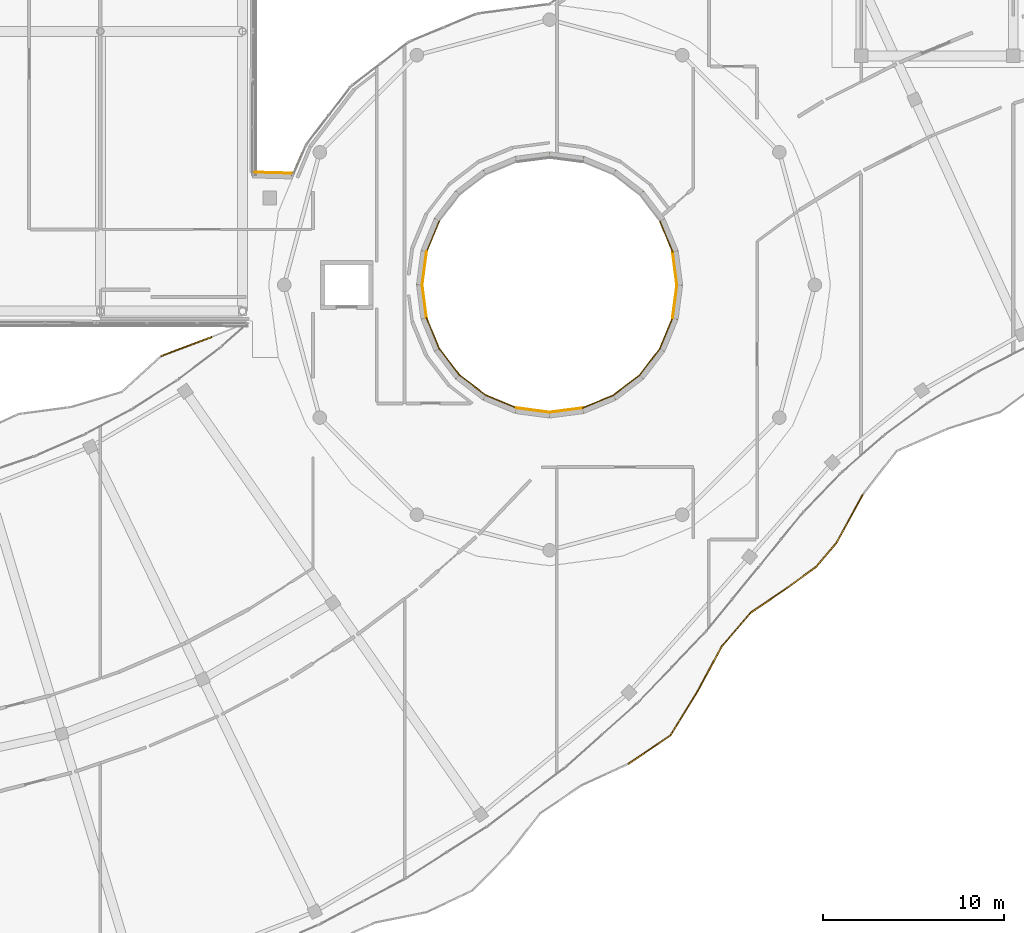
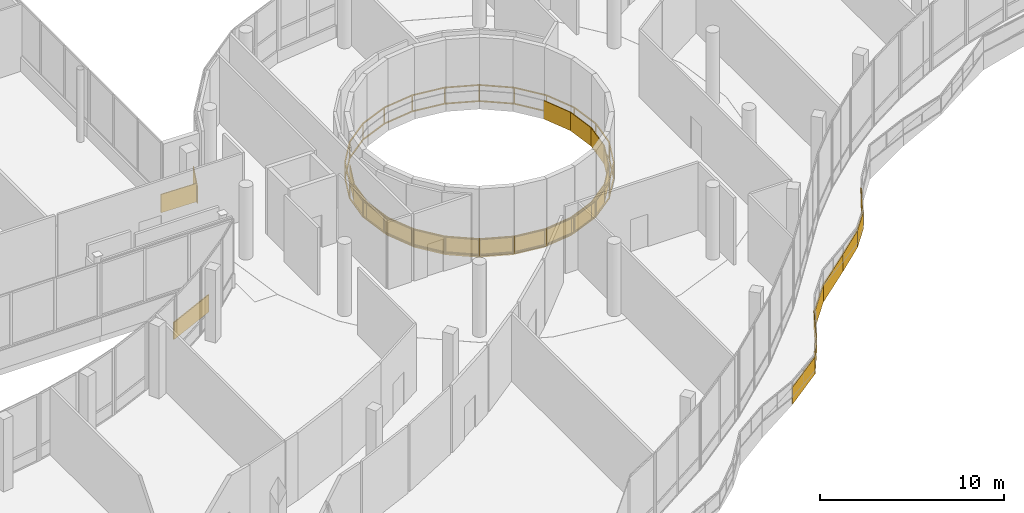
# One storey, part 147 of 155: 27 coverings, 2 railings.
"""IFC4 building model written with IfcOpenShell, lengths in metres."""

import ifcopenshell
import ifcopenshell.guid

model = None  # the IFC model being written
_history = None  # IfcOwnerHistory: only IFC2X3 demands one
_inside = {}  # id of a spatial element -> (the spatial element, [elements in it])
_under = {}  # id of a project, library or spatial element -> (it, [spatial elements below it])
_declared = {}  # id of a project -> (the project, [libraries it declares])
_typed = {}  # id of a type object -> (the type object, [elements of that type])
_made_of = {}  # id of a material, layer set ... -> (it, [elements and type objects made of it])


def new_model(schema):
    """Start an empty IFC model of exactly this schema.

    Asked for "IFC4X3", IfcOpenShell would pick the latest addendum, in which some entities
    have other attributes; the version numbers below select the first issue.
    IFC2X3 requires an IfcOwnerHistory on every rooted entity: one is made here for all.
    """
    global model, _history
    if schema == "IFC4X3":
        model = ifcopenshell.file(schema_version=(4, 3, 0, 0))
    else:
        model = ifcopenshell.file(schema=schema)
    _inside.clear()
    _under.clear()
    _declared.clear()
    _typed.clear()
    _made_of.clear()
    _history = None
    if model.schema == "IFC2X3":
        org = make("IfcOrganization", Name="unknown")
        user = make(
            "IfcPersonAndOrganization",
            ThePerson=make("IfcPerson", FamilyName="unknown"),
            TheOrganization=org,
        )
        app = make(
            "IfcApplication",
            ApplicationDeveloper=org,
            Version="unknown",
            ApplicationFullName="unknown",
            ApplicationIdentifier="unknown",
        )
        _history = make(
            "IfcOwnerHistory",
            OwningUser=user,
            OwningApplication=app,
            ChangeAction="ADDED",
            CreationDate=0,
        )
    return model


def make(cls, **values):
    """One entity of the class cls with the attributes given. An attribute that is None is left unset."""
    return model.create_entity(
        cls, **{name: value for name, value in values.items() if value is not None}
    )


def rooted(cls, **values):
    """An entity with a GlobalId (a new one), such as an element, a storey or a relation."""
    return make(cls, GlobalId=ifcopenshell.guid.new(), OwnerHistory=_history, **values)


def si_unit(unit_type, name, prefix=None):
    """IfcSIUnit, for example si_unit("LENGTHUNIT", "METRE", prefix="MILLI")."""
    return make("IfcSIUnit", UnitType=unit_type, Prefix=prefix, Name=name)


def assignment(units):
    """IfcUnitAssignment: the units of a project."""
    return None if units is None else make("IfcUnitAssignment", Units=units)


def point(xyz):
    """IfcCartesianPoint."""
    return None if xyz is None else make("IfcCartesianPoint", Coordinates=xyz)


def direction(xyz):
    """IfcDirection."""
    return None if xyz is None else make("IfcDirection", DirectionRatios=xyz)


def frame(location, z_axis=None, x_axis=None):
    """IfcAxis2Placement3D, a coordinate frame: its origin and axes. An axis left out is left unset."""
    return make(
        "IfcAxis2Placement3D",
        Location=point(location),
        Axis=direction(z_axis),
        RefDirection=direction(x_axis),
    )


def frame_2d(location, x_axis=None):
    """IfcAxis2Placement2D, a coordinate frame in the plane: its origin and x axis."""
    return make(
        "IfcAxis2Placement2D", Location=point(location), RefDirection=direction(x_axis)
    )


def origin():
    """The frame at (0, 0, 0) with its axes left unset."""
    return frame((0.0, 0.0, 0.0))


def origin_2d():
    """The frame at (0, 0) in the plane with its x axis left unset."""
    return frame_2d((0.0, 0.0))


def place(relative_to, where):
    """IfcLocalPlacement: puts the frame where relative to a parent placement (None: the world)."""
    return make(
        "IfcLocalPlacement", PlacementRelTo=relative_to, RelativePlacement=where
    )


def context(
    kind, dimensions, precision=None, world=None, true_north=None, identifier=None
):
    """IfcGeometricRepresentationContext, for example the 3D "Model" context."""
    return make(
        "IfcGeometricRepresentationContext",
        ContextIdentifier=identifier,
        ContextType=kind,
        CoordinateSpaceDimension=dimensions,
        Precision=precision,
        WorldCoordinateSystem=world,
        TrueNorth=true_north,
    )


def subcontext(parent, identifier, kind, view, scale=None):
    """IfcGeometricRepresentationSubContext, for example "Body" below "Model"."""
    return make(
        "IfcGeometricRepresentationSubContext",
        ContextIdentifier=identifier,
        ContextType=kind,
        ParentContext=parent,
        TargetScale=scale,
        TargetView=view,
    )


def project(units=None, contexts=None):
    """IfcProject with its units and contexts."""
    return rooted(
        "IfcProject",
        Name="project",
        RepresentationContexts=contexts,
        UnitsInContext=assignment(units),
    )


def spatial(cls, under=None, at=None, **own):
    """A site, building, storey or space (cls), placed at a placement, below another one or the project."""
    s = rooted(cls, ObjectPlacement=at, **own)
    if under is not None:
        _under.setdefault(under.id(), (under, []))[1].append(s)
    return s


def polyline(points):
    """IfcPolyline through the points."""
    return make("IfcPolyline", Points=[point(p) for p in points])


def profile(cls, at=None, kind="AREA", **sizes):
    """A parametric profile (cls). Its sizes go by their IFC names, for example OverallWidth=200.0."""
    return make(cls, ProfileType=kind, Position=at, **sizes)


def rectangle(**sizes):
    """IfcRectangleProfileDef."""
    return profile("IfcRectangleProfileDef", **sizes)


def outline(outer, holes=None, kind="AREA"):
    """IfcArbitraryClosedProfileDef: a profile drawn as a closed curve; with holes, ...WithVoids."""
    if holes is None:
        return make("IfcArbitraryClosedProfileDef", ProfileType=kind, OuterCurve=outer)
    return make(
        "IfcArbitraryProfileDefWithVoids",
        ProfileType=kind,
        OuterCurve=outer,
        InnerCurves=holes,
    )


def extrude(swept, where, along, depth):
    """IfcExtrudedAreaSolid: the profile swept, set in the frame where, extruded along a direction by depth."""
    return make(
        "IfcExtrudedAreaSolid",
        SweptArea=swept,
        Position=where,
        ExtrudedDirection=direction(along),
        Depth=depth,
    )


def shape(context_of_items, identifier, shape_type, items):
    """IfcShapeRepresentation: the items that make up one representation, for example the "Body"."""
    return make(
        "IfcShapeRepresentation",
        ContextOfItems=context_of_items,
        RepresentationIdentifier=identifier,
        RepresentationType=shape_type,
        Items=items,
    )


def material(Name=None, Category=None):
    """IfcMaterial."""
    return make("IfcMaterial", Name=Name, Category=Category)


def layer(
    of_material, thickness, ventilated=None, Name=None, Category=None, Priority=None
):
    """IfcMaterialLayer: one layer of a wall or slab, of a material (None: an air gap)."""
    return make(
        "IfcMaterialLayer",
        Material=of_material,
        LayerThickness=thickness,
        IsVentilated=ventilated,
        Name=Name,
        Category=Category,
        Priority=Priority,
    )


def layer_set(layers, Name=None):
    """IfcMaterialLayerSet."""
    return make("IfcMaterialLayerSet", MaterialLayers=layers, LayerSetName=Name)


def made_of(thing, what):
    """Note that an element or type object is made of a material, layer set ...; save() writes the relation."""
    if what is not None:
        _made_of.setdefault(what.id(), (what, []))[1].append(thing)
    return thing


def type_object(cls, material=None, **own):
    """A type object (cls), such as IfcWallType, which elements share."""
    return made_of(rooted(cls, **own), material)


def element(
    cls,
    number,
    at=None,
    inside=None,
    cuts=None,
    type_object=None,
    material=None,
    context=None,
    identifier="Body",
    shape_type=None,
    held_by="IfcProductDefinitionShape",
    body=None,
    shapes=None,
    **own,
):
    """One element of the class cls, such as IfcWall. Its Tag is "e" and its number.

    at: its placement. inside: the storey or other place that contains it. cuts: it is an
    opening in that element (IfcRelVoidsElement). A single representation is given by context,
    identifier, shape_type and body (its items); several are given by shapes. held_by: the class
    of the entity that holds the representations. save() writes the other relations.
    """
    e = rooted(cls, Tag="e%d" % number, ObjectPlacement=at, **own)
    if body is not None:
        shapes = [shape(context, identifier, shape_type, body)]
    if shapes is not None:
        e.Representation = make(held_by, Representations=shapes)
    if inside is not None:
        _inside.setdefault(inside.id(), (inside, []))[1].append(e)
    if cuts is not None:
        rooted(
            "IfcRelVoidsElement", RelatingBuildingElement=cuts, RelatedOpeningElement=e
        )
    if type_object is not None:
        _typed.setdefault(type_object.id(), (type_object, []))[1].append(e)
    return made_of(e, material)


def aggregate(whole, parts):
    """IfcRelAggregates: a whole, such as a stair, and the parts it consists of."""
    return rooted("IfcRelAggregates", RelatingObject=whole, RelatedObjects=parts)


def save(model, path):
    """Write the relations noted so far, then the file.

    IfcRelAggregates (storeys below a building ...), IfcRelContainedInSpatialStructure (elements
    in a storey), IfcRelDefinesByType, IfcRelAssociatesMaterial and IfcRelDeclares: one each for
    every whole, place, type object, material and project.
    """
    for whole, parts in _under.values():
        aggregate(whole, parts)
    for where, things in _inside.values():
        rooted(
            "IfcRelContainedInSpatialStructure",
            RelatedElements=things,
            RelatingStructure=where,
        )
    for kind, things in _typed.values():
        rooted("IfcRelDefinesByType", RelatedObjects=things, RelatingType=kind)
    for what, things in _made_of.values():
        rooted("IfcRelAssociatesMaterial", RelatedObjects=things, RelatingMaterial=what)
    for by, libraries in _declared.values():
        rooted("IfcRelDeclares", RelatingContext=by, RelatedDefinitions=libraries)
    model.write(path)


model = new_model("IFC4")

# Units and contexts
model_context = context("Model", 3, precision=1e-05, world=origin(), true_north=direction((0.0, 1.0)))
body_context = subcontext(model_context, "Body", "Model", "MODEL_VIEW")
ifc_project = project(units=[si_unit("LENGTHUNIT", "METRE"), si_unit("AREAUNIT", "SQUARE_METRE"), si_unit("VOLUMEUNIT", "CUBIC_METRE"), si_unit("PLANEANGLEUNIT", "RADIAN"), si_unit("MASSUNIT", "GRAM", prefix="KILO")], contexts=[model_context])

# Site, building, storey
site_placement = place(None, origin())
site = spatial("IfcSite", under=ifc_project, at=site_placement, CompositionType="ELEMENT")
building_placement = place(site_placement, origin())
building = spatial("IfcBuilding", under=site, at=building_placement, Name="Selatvlak General Hospital", CompositionType="ELEMENT")
storey_placement = place(building_placement, frame((0.0, 0.0, 10.199951171875)))
storey = spatial("IfcBuildingStorey", under=building, at=storey_placement, Name="L02", CompositionType="ELEMENT", Elevation=10.199951171875)

# Coverings
ifc_material_1 = material(Name="PVDF aluminium fascia - signal green", Category="aluminium")
ifc_layer_1 = layer(ifc_material_1, 0.070068359375, Name="PVDF aluminium fascia - signal green", Category="aluminium")
ifc_layer_set_1 = layer_set([ifc_layer_1], Name="PVDF aluminium fascia - signal green")
covering_type_1 = type_object("IfcCoveringType", Name="COV-RB-GRN", PredefinedType="CLADDING", material=ifc_layer_set_1)
covering_1_placement = place(storey_placement, frame((102.345947265625, 27.552978515625, -0.447021484375), z_axis=(0.0, 0.0, 1.0), x_axis=(0.828328484862, 0.560242734149, 0.0)))
element("IfcCovering", 1, at=covering_1_placement, inside=storey, type_object=covering_type_1, Name="L02 De Stijl waving fascia streamer 245", PredefinedType="CLADDING", context=body_context, shape_type="SweptSolid", body=[
    extrude(outline(polyline([(0.0, 0.0), (2.8095703125, 0.260009765625), (2.8095703125, 1.39990234375), (0.0, 1.139892578125), (0.0, 0.0)])), frame((0.0, 0.03515625, 0.0), z_axis=(0.0, -1.0, 0.0), x_axis=(1.0, 0.0, 0.0)), (0.0, 0.0, 1.0), 0.070068359375),
])
covering_2_placement = place(storey_placement, frame((104.672119140625, 29.126953125, -0.18701171875), z_axis=(0.0, 0.0, 1.0), x_axis=(0.525144308248, 0.851013193502, 0.0)))
element("IfcCovering", 2, at=covering_2_placement, inside=storey, type_object=covering_type_1, Name="L02 De Stijl waving fascia streamer 246", PredefinedType="CLADDING", context=body_context, shape_type="SweptSolid", body=[
    extrude(outline(polyline([(0.0, 0.0), (2.848388671875, -0.412841796875), (2.848388671875, 0.72705078125), (0.0, 1.139892578125), (0.0, 0.0)])), frame((0.0, 0.03515625, 0.0), z_axis=(0.0, -1.0, 0.0), x_axis=(1.0, 0.0, 0.0)), (0.0, 0.0, 1.0), 0.070068359375),
])
covering_3_placement = place(storey_placement, frame((106.16796875, 31.550048828125, -0.599853515625), z_axis=(0.0, 0.0, 1.0), x_axis=(0.473214678119, 0.880947142803, 0.0)))
element("IfcCovering", 3, at=covering_3_placement, inside=storey, type_object=covering_type_1, Name="L02 De Stijl waving fascia streamer 247", PredefinedType="CLADDING", context=body_context, shape_type="SweptSolid", body=[
    extrude(outline(polyline([(0.0, 0.0), (2.829833984375, -0.523193359375), (2.829833984375, 0.61669921875), (0.0, 1.139892578125), (0.0, 0.0)])), frame((0.0, 0.03515625, 0.0), z_axis=(0.0, -1.0, 0.0), x_axis=(1.0, 0.0, 0.0)), (0.0, 0.0, 1.0), 0.070068359375),
])
covering_4_placement = place(storey_placement, frame((107.507080078125, 34.04296875, -1.123046875), z_axis=(0.0, 0.0, 1.0), x_axis=(0.650617475148, 0.759405623519, 0.0)))
element("IfcCovering", 4, at=covering_4_placement, inside=storey, type_object=covering_type_1, Name="L02 De Stijl waving fascia streamer 248", PredefinedType="CLADDING", context=body_context, shape_type="SweptSolid", body=[
    extrude(outline(polyline([(0.0, 0.0), (2.42822265625, 0.037109375), (2.42822265625, 1.177001953125), (0.0, 1.139892578125), (0.0, 0.0)])), frame((0.0, 0.03515625, 0.0), z_axis=(0.0, -1.0, 0.0), x_axis=(1.0, 0.0, 0.0)), (0.0, 0.0, 1.0), 0.070068359375),
])
covering_5_placement = place(storey_placement, frame((109.0859375, 35.885986328125, -1.0859375), z_axis=(0.0, 0.0, 1.0), x_axis=(0.825700394009, 0.564108907333, 0.0)))
element("IfcCovering", 5, at=covering_5_placement, inside=storey, type_object=covering_type_1, Name="L02 De Stijl waving fascia streamer 249", PredefinedType="CLADDING", context=body_context, shape_type="SweptSolid", body=[
    extrude(outline(polyline([(0.0, 0.0), (2.481689453125, 0.486083984375), (2.481689453125, 1.6259765625), (0.0, 1.139892578125), (0.0, 0.0)])), frame((0.0, 0.03515625, 0.0), z_axis=(0.0, -1.0, 0.0), x_axis=(1.0, 0.0, 0.0)), (0.0, 0.0, 1.0), 0.070068359375),
])
covering_6_placement = place(storey_placement, frame((111.135009765625, 37.285888671875, -0.599853515625), z_axis=(0.0, 0.0, 1.0), x_axis=(0.809811644052, 0.586689953176, 0.0)))
element("IfcCovering", 6, at=covering_6_placement, inside=storey, type_object=covering_type_1, Name="L02 De Stijl waving fascia streamer 250", PredefinedType="CLADDING", context=body_context, shape_type="SweptSolid", body=[
    extrude(outline(polyline([(0.0, 0.0), (1.93115234375, 0.347900390625), (1.93115234375, 1.48779296875), (0.0, 1.139892578125), (0.0, 0.0)])), frame((0.0, 0.03515625, 0.0), z_axis=(0.0, -1.0, 0.0), x_axis=(1.0, 0.0, 0.0)), (0.0, 0.0, 1.0), 0.070068359375),
])
covering_7_placement = place(storey_placement, frame((112.699951171875, 38.419921875, -0.251953125), z_axis=(0.0, 0.0, 1.0), x_axis=(0.650558406315, 0.759456226502, 0.0)))
element("IfcCovering", 7, at=covering_7_placement, inside=storey, type_object=covering_type_1, Name="L02 De Stijl waving fascia streamer 251", PredefinedType="CLADDING", context=body_context, shape_type="SweptSolid", body=[
    extrude(outline(polyline([(0.0, 0.0), (1.726318359375, 0.04296875), (1.726318359375, 1.182861328125), (0.0, 1.139892578125), (0.0, 0.0)])), frame((0.0, 0.03515625, 0.0), z_axis=(0.0, -1.0, 0.0), x_axis=(1.0, 0.0, 0.0)), (0.0, 0.0, 1.0), 0.070068359375),
])
covering_8_placement = place(storey_placement, frame((113.822998046875, 39.73095703125, -0.208984375), z_axis=(0.0, 0.0, 1.0), x_axis=(0.480522921498, 0.876982167387, 0.0)))
element("IfcCovering", 8, at=covering_8_placement, inside=storey, type_object=covering_type_1, Name="L02 De Stijl waving fascia streamer 252", PredefinedType="CLADDING", context=body_context, shape_type="SweptSolid", body=[
    extrude(outline(polyline([(0.0, 0.0), (3.06982421875, -0.571044921875), (3.06982421875, 0.56884765625), (0.0, 1.139892578125), (0.0, 0.0)])), frame((0.0, 0.03515625, 0.0), z_axis=(0.0, -1.0, 0.0), x_axis=(1.0, 0.0, 0.0)), (0.0, 0.0, 1.0), 0.070068359375),
])
covering_9_placement = place(storey_placement, frame((79.35595703125, 51.131103515625, -0.537841796875), z_axis=(0.0, 0.0, 1.0), x_axis=(-0.935731915503, -0.352712038793, 0.0)))
element("IfcCovering", 9, at=covering_9_placement, inside=storey, type_object=covering_type_1, Name="L02 De Stijl waving fascia streamer 285", PredefinedType="CLADDING", context=body_context, shape_type="SweptSolid", body=[
    extrude(outline(polyline([(0.0, 0.0), (3.013671875, -0.230224609375), (3.013671875, 0.90966796875), (0.0, 1.139892578125), (0.0, 0.0)])), frame((0.0, 0.03515625, 0.0), z_axis=(0.0, -1.0, 0.0), x_axis=(1.0, 0.0, 0.0)), (0.0, 0.0, 1.0), 0.070068359375),
])
ifc_material_2 = material(Name="White Bauhaus fair-faced cladding panel")
ifc_layer_2 = layer(ifc_material_2, 0.054931640625, Name="White Bauhaus fair-faced cladding panel")
ifc_layer_set_2 = layer_set([ifc_layer_2], Name="White Bauhaus fair-faced cladding panel")
covering_type_2 = type_object("IfcCoveringType", Name="COV-WHT1", PredefinedType="CLADDING", material=ifc_layer_set_2)
covering_10_placement = place(storey_placement, frame((82.7099609375, 60.195068359375, -0.27978515625), z_axis=(0.0, 0.0, 1.0), x_axis=(0.999632209807, -0.027119091375, 0.0)))
element("IfcCovering", 10, at=covering_10_placement, inside=storey, type_object=covering_type_2, Name="L02 Bauhaus horizontal white spandrel band 0178", PredefinedType="CLADDING", context=body_context, shape_type="SweptSolid", body=[
    extrude(rectangle(XDim=2.212890625, YDim=0.054931640625, at=origin_2d()), origin(), (0.0, 0.0, 1.0), 1.219970703125),
])
covering_11_placement = place(storey_placement, frame((84.156982421875, 60.89111328125, -0.2998046875), z_axis=(0.0, 0.0, 1.0), x_axis=(0.400301051368, 0.916383690532, 0.0)))
element("IfcCovering", 11, at=covering_11_placement, inside=storey, type_object=covering_type_2, Name="L02 Rotunda white Bauhaus spandrel ring 0179", PredefinedType="CLADDING", context=body_context, shape_type="SweptSolid", body=[
    extrude(rectangle(XDim=1.908935546875, YDim=0.054931640625, at=origin_2d()), origin(), (0.0, 0.0, 1.0), 1.14990234375),
])
covering_12_placement = place(storey_placement, frame((91.56103515625, 56.675048828125, -0.27978515625), z_axis=(0.0, 0.0, 1.0), x_axis=(-0.384005268657, -0.923330901489, 0.0)))
element("IfcCovering", 12, at=covering_12_placement, inside=storey, type_object=covering_type_2, Name="L02 Bauhaus horizontal white spandrel band 0198", PredefinedType="CLADDING", context=body_context, shape_type="SweptSolid", body=[
    extrude(rectangle(XDim=1.8798828125, YDim=0.054931640625, at=origin_2d()), origin(), (0.0, 0.0, 1.0), 1.219970703125),
])
covering_13_placement = place(storey_placement, frame((91.087890625, 54.9169921875, -0.27978515625), z_axis=(0.0, 0.0, 1.0), x_axis=(-0.131495152443, -0.991316813579, 0.0)))
element("IfcCovering", 13, at=covering_13_placement, inside=storey, type_object=covering_type_2, Name="L02 Bauhaus horizontal white spandrel band 0199", PredefinedType="CLADDING", context=body_context, shape_type="SweptSolid", body=[
    extrude(rectangle(XDim=1.8779296875, YDim=0.054931640625, at=origin_2d()), origin(), (0.0, 0.0, 1.0), 1.219970703125),
])
covering_14_placement = place(storey_placement, frame((91.0859375, 53.097900390625, -0.27978515625), z_axis=(0.0, 0.0, 1.0), x_axis=(0.129332123433, -0.991601332113, 0.0)))
element("IfcCovering", 14, at=covering_14_placement, inside=storey, type_object=covering_type_2, Name="L02 Bauhaus horizontal white spandrel band 0200", PredefinedType="CLADDING", context=body_context, shape_type="SweptSolid", body=[
    extrude(rectangle(XDim=1.87890625, YDim=0.054931640625, at=origin_2d()), origin(), (0.0, 0.0, 1.0), 1.219970703125),
])
covering_15_placement = place(storey_placement, frame((91.554931640625, 51.339111328125, -0.27978515625), z_axis=(0.0, 0.0, 1.0), x_axis=(0.381812526586, -0.924239792771, 0.0)))
element("IfcCovering", 15, at=covering_15_placement, inside=storey, type_object=covering_type_2, Name="L02 Bauhaus horizontal white spandrel band 0201", PredefinedType="CLADDING", context=body_context, shape_type="SweptSolid", body=[
    extrude(rectangle(XDim=1.8798828125, YDim=0.054931640625, at=origin_2d()), origin(), (0.0, 0.0, 1.0), 1.219970703125),
])
for number, where, z_axis, x_axis, name in (
    (16, (92.464111328125, 49.760986328125, -0.27978515625), (0.0, 0.0, 1.0), (0.607805570475, -0.79408588232, 0.0), "L02 Bauhaus horizontal white spandrel band 0202"),
    (17, (93.75, 48.472900390625, -0.27978515625), (0.0, 0.0, 1.0), (0.792917516662, -0.609328984843, 0.0), "L02 Bauhaus horizontal white spandrel band 0203"),
):
    element("IfcCovering", number, at=place(storey_placement, frame(where, z_axis=z_axis, x_axis=x_axis)), inside=storey, type_object=covering_type_2, Name=name, PredefinedType="CLADDING", context=body_context, shape_type="SweptSolid", body=[
        extrude(rectangle(XDim=1.87890625, YDim=0.054931640625, at=origin_2d()), origin(), (0.0, 0.0, 1.0), 1.219970703125),
    ])
covering_16_placement = place(storey_placement, frame((95.324951171875, 47.56103515625, -0.27978515625), z_axis=(0.0, 0.0, 1.0), x_axis=(0.923330901489, -0.384005268657, 0.0)))
element("IfcCovering", 18, at=covering_16_placement, inside=storey, type_object=covering_type_2, Name="L02 Bauhaus horizontal white spandrel band 0204", PredefinedType="CLADDING", context=body_context, shape_type="SweptSolid", body=[
    extrude(rectangle(XDim=1.8798828125, YDim=0.054931640625, at=origin_2d()), origin(), (0.0, 0.0, 1.0), 1.219970703125),
])
covering_17_placement = place(storey_placement, frame((97.0830078125, 47.087890625, -0.27978515625), z_axis=(0.0, 0.0, 1.0), x_axis=(0.991316813579, -0.131495152443, 0.0)))
element("IfcCovering", 19, at=covering_17_placement, inside=storey, type_object=covering_type_2, Name="L02 Bauhaus horizontal white spandrel band 0205", PredefinedType="CLADDING", context=body_context, shape_type="SweptSolid", body=[
    extrude(rectangle(XDim=1.8779296875, YDim=0.054931640625, at=origin_2d()), origin(), (0.0, 0.0, 1.0), 1.219970703125),
])
covering_18_placement = place(storey_placement, frame((98.902099609375, 47.0859375, -0.27978515625), z_axis=(0.0, 0.0, 1.0), x_axis=(0.991601332113, 0.129332123433, 0.0)))
element("IfcCovering", 20, at=covering_18_placement, inside=storey, type_object=covering_type_2, Name="L02 Bauhaus horizontal white spandrel band 0206", PredefinedType="CLADDING", context=body_context, shape_type="SweptSolid", body=[
    extrude(rectangle(XDim=1.87890625, YDim=0.054931640625, at=origin_2d()), origin(), (0.0, 0.0, 1.0), 1.219970703125),
])
covering_19_placement = place(storey_placement, frame((100.660888671875, 47.554931640625, -0.27978515625), z_axis=(0.0, 0.0, 1.0), x_axis=(0.924239792771, 0.381812526586, 0.0)))
element("IfcCovering", 21, at=covering_19_placement, inside=storey, type_object=covering_type_2, Name="L02 Bauhaus horizontal white spandrel band 0207", PredefinedType="CLADDING", context=body_context, shape_type="SweptSolid", body=[
    extrude(rectangle(XDim=1.8798828125, YDim=0.054931640625, at=origin_2d()), origin(), (0.0, 0.0, 1.0), 1.219970703125),
])
for number, where, z_axis, x_axis, name in (
    (22, (102.239013671875, 48.464111328125, -0.27978515625), (0.0, 0.0, 1.0), (0.79408588232, 0.607805570475, 0.0), "L02 Bauhaus horizontal white spandrel band 0208"),
    (23, (103.527099609375, 49.75, -0.27978515625), (0.0, 0.0, 1.0), (0.609328984843, 0.792917516662, 0.0), "L02 Bauhaus horizontal white spandrel band 0209"),
):
    element("IfcCovering", number, at=place(storey_placement, frame(where, z_axis=z_axis, x_axis=x_axis)), inside=storey, type_object=covering_type_2, Name=name, PredefinedType="CLADDING", context=body_context, shape_type="SweptSolid", body=[
        extrude(rectangle(XDim=1.87890625, YDim=0.054931640625, at=origin_2d()), origin(), (0.0, 0.0, 1.0), 1.219970703125),
    ])
covering_20_placement = place(storey_placement, frame((104.43896484375, 51.324951171875, -0.27978515625), z_axis=(0.0, 0.0, 1.0), x_axis=(0.384005268657, 0.923330901489, 0.0)))
element("IfcCovering", 24, at=covering_20_placement, inside=storey, type_object=covering_type_2, Name="L02 Bauhaus horizontal white spandrel band 0210", PredefinedType="CLADDING", context=body_context, shape_type="SweptSolid", body=[
    extrude(rectangle(XDim=1.8798828125, YDim=0.054931640625, at=origin_2d()), origin(), (0.0, 0.0, 1.0), 1.219970703125),
])
covering_21_placement = place(storey_placement, frame((104.912109375, 53.0830078125, -0.27978515625), z_axis=(0.0, 0.0, 1.0), x_axis=(0.131495152443, 0.991316813579, 0.0)))
element("IfcCovering", 25, at=covering_21_placement, inside=storey, type_object=covering_type_2, Name="L02 Bauhaus horizontal white spandrel band 0211", PredefinedType="CLADDING", context=body_context, shape_type="SweptSolid", body=[
    extrude(rectangle(XDim=1.8779296875, YDim=0.054931640625, at=origin_2d()), origin(), (0.0, 0.0, 1.0), 1.219970703125),
])
covering_22_placement = place(storey_placement, frame((104.9140625, 54.902099609375, -0.27978515625), z_axis=(0.0, 0.0, 1.0), x_axis=(-0.129332123433, 0.991601332113, 0.0)))
element("IfcCovering", 26, at=covering_22_placement, inside=storey, type_object=covering_type_2, Name="L02 Bauhaus horizontal white spandrel band 0212", PredefinedType="CLADDING", context=body_context, shape_type="SweptSolid", body=[
    extrude(rectangle(XDim=1.87890625, YDim=0.054931640625, at=origin_2d()), origin(), (0.0, 0.0, 1.0), 1.219970703125),
])
covering_23_placement = place(storey_placement, frame((104.445068359375, 56.660888671875, -0.27978515625), z_axis=(0.0, 0.0, 1.0), x_axis=(-0.381812526586, 0.924239792771, 0.0)))
element("IfcCovering", 27, at=covering_23_placement, inside=storey, type_object=covering_type_2, Name="L02 Bauhaus horizontal white spandrel band 0213", PredefinedType="CLADDING", context=body_context, shape_type="SweptSolid", body=[
    extrude(rectangle(XDim=1.8798828125, YDim=0.054931640625, at=origin_2d()), origin(), (0.0, 0.0, 1.0), 1.219970703125),
])

# Railings
ifc_material_3 = material(Name="Stainless steel 316 atrium guard", Category="steel")
railing_type = type_object("IfcRailingType", Name="RAIL-ATR", PredefinedType="GUARDRAIL", material=ifc_material_3)
railing_1_placement = place(storey_placement, frame((105.300048828125, 54.0, 0.0)))
element("IfcRailing", 28, at=railing_1_placement, inside=storey, type_object=railing_type, Name="L02 rotunda atrium void guard N", PredefinedType="GUARDRAIL", context=body_context, shape_type="SweptSolid", body=[
    extrude(rectangle(XDim=0.068115234375, YDim=0.068115234375, at=origin_2d()), frame((-0.00048828125, 0.0029296875, 1.11572265625), z_axis=(-0.130703112878, 0.991421553268, 0.0), x_axis=(-0.991421553268, -0.130703112878, 0.0)), (0.0, 0.0, 1.0), 1.8994140625),
    extrude(rectangle(XDim=0.068115234375, YDim=0.068115234375, at=origin_2d()), frame((-0.00048828125, 0.0029296875, 0.049072265625), z_axis=(-0.130703112878, 0.991421553268, 0.0), x_axis=(-0.991421553268, -0.130703112878, 0.0)), (0.0, 0.0, 1.0), 1.8994140625),
    extrude(rectangle(XDim=0.068115234375, YDim=0.068115234375, at=origin_2d()), frame((-0.250244140625, 1.8916015625, 1.11572265625), z_axis=(-0.382495099758, 0.923957519944, 0.0), x_axis=(-0.923957519944, -0.382495099758, 0.0)), (0.0, 0.0, 1.0), 1.900146484375),
    extrude(rectangle(XDim=0.068115234375, YDim=0.068115234375, at=origin_2d()), frame((-0.250244140625, 1.8916015625, 0.049072265625), z_axis=(-0.382495099758, 0.923957519944, 0.0), x_axis=(-0.923957519944, -0.382495099758, 0.0)), (0.0, 0.0, 1.0), 1.900146484375),
    extrude(rectangle(XDim=0.068115234375, YDim=0.068115234375, at=origin_2d()), frame((-0.979736328125, 3.65234375, 1.11572265625), z_axis=(-0.608614402838, 0.793466135798, 0.0), x_axis=(-0.793466135798, -0.608614402838, 0.0)), (0.0, 0.0, 1.0), 1.89990234375),
    extrude(rectangle(XDim=0.068115234375, YDim=0.068115234375, at=origin_2d()), frame((-0.979736328125, 3.65234375, 0.049072265625), z_axis=(-0.608614402838, 0.793466135798, 0.0), x_axis=(-0.793466135798, -0.608614402838, 0.0)), (0.0, 0.0, 1.0), 1.89990234375),
    extrude(rectangle(XDim=0.068115234375, YDim=0.068115234375, at=origin_2d()), frame((-2.140380859375, 5.163818359375, 1.11572265625), z_axis=(-0.793466135798, 0.608614402838, 0.0), x_axis=(-0.608614402838, -0.793466135798, 0.0)), (0.0, 0.0, 1.0), 1.89990234375),
    extrude(rectangle(XDim=0.068115234375, YDim=0.068115234375, at=origin_2d()), frame((-2.140380859375, 5.163818359375, 0.049072265625), z_axis=(-0.793466135798, 0.608614402838, 0.0), x_axis=(-0.608614402838, -0.793466135798, 0.0)), (0.0, 0.0, 1.0), 1.89990234375),
    extrude(rectangle(XDim=0.068115234375, YDim=0.068115234375, at=origin_2d()), frame((-3.65283203125, 6.3232421875, 1.11572265625), z_axis=(-0.923957519944, 0.382495099758, 0.0), x_axis=(-0.382495099758, -0.923957519944, 0.0)), (0.0, 0.0, 1.0), 1.900146484375),
    extrude(rectangle(XDim=0.068115234375, YDim=0.068115234375, at=origin_2d()), frame((-3.65283203125, 6.3232421875, 0.049072265625), z_axis=(-0.923957519944, 0.382495099758, 0.0), x_axis=(-0.382495099758, -0.923957519944, 0.0)), (0.0, 0.0, 1.0), 1.900146484375),
    extrude(rectangle(XDim=0.068115234375, YDim=0.068115234375, at=origin_2d()), frame((-5.4140625, 7.051513671875, 1.11572265625), z_axis=(-0.991421553268, 0.130703112878, 0.0), x_axis=(-0.130703112878, -0.991421553268, 0.0)), (0.0, 0.0, 1.0), 1.8994140625),
    extrude(rectangle(XDim=0.068115234375, YDim=0.068115234375, at=origin_2d()), frame((-5.4140625, 7.051513671875, 0.049072265625), z_axis=(-0.991421553268, 0.130703112878, 0.0), x_axis=(-0.130703112878, -0.991421553268, 0.0)), (0.0, 0.0, 1.0), 1.8994140625),
    extrude(rectangle(XDim=0.068115234375, YDim=0.068115234375, at=origin_2d()), frame((-7.302978515625, 7.299560546875, 1.11572265625), z_axis=(-0.991421553268, -0.130703112878, 0.0), x_axis=(0.130703112878, -0.991421553268, 0.0)), (0.0, 0.0, 1.0), 1.8994140625),
    extrude(rectangle(XDim=0.068115234375, YDim=0.068115234375, at=origin_2d()), frame((-7.302978515625, 7.299560546875, 0.049072265625), z_axis=(-0.991421553268, -0.130703112878, 0.0), x_axis=(0.130703112878, -0.991421553268, 0.0)), (0.0, 0.0, 1.0), 1.8994140625),
    extrude(rectangle(XDim=0.068115234375, YDim=0.068115234375, at=origin_2d()), frame((-9.191650390625, 7.0498046875, 1.11572265625), z_axis=(-0.923957519944, -0.382495099758, 0.0), x_axis=(0.382495099758, -0.923957519944, 0.0)), (0.0, 0.0, 1.0), 1.900146484375),
    extrude(rectangle(XDim=0.068115234375, YDim=0.068115234375, at=origin_2d()), frame((-9.191650390625, 7.0498046875, 0.049072265625), z_axis=(-0.923957519944, -0.382495099758, 0.0), x_axis=(0.382495099758, -0.923957519944, 0.0)), (0.0, 0.0, 1.0), 1.900146484375),
    extrude(rectangle(XDim=0.068115234375, YDim=0.068115234375, at=origin_2d()), frame((-10.952392578125, 6.3203125, 1.11572265625), z_axis=(-0.793466135798, -0.608614402838, 0.0), x_axis=(0.608614402838, -0.793466135798, 0.0)), (0.0, 0.0, 1.0), 1.89990234375),
    extrude(rectangle(XDim=0.068115234375, YDim=0.068115234375, at=origin_2d()), frame((-10.952392578125, 6.3203125, 0.049072265625), z_axis=(-0.793466135798, -0.608614402838, 0.0), x_axis=(0.608614402838, -0.793466135798, 0.0)), (0.0, 0.0, 1.0), 1.89990234375),
    extrude(rectangle(XDim=0.068115234375, YDim=0.068115234375, at=origin_2d()), frame((-12.4638671875, 5.15966796875, 1.11572265625), z_axis=(-0.608614402838, -0.793466135798, 0.0), x_axis=(0.793466135798, -0.608614402838, 0.0)), (0.0, 0.0, 1.0), 1.89990234375),
    extrude(rectangle(XDim=0.068115234375, YDim=0.068115234375, at=origin_2d()), frame((-12.4638671875, 5.15966796875, 0.049072265625), z_axis=(-0.608614402838, -0.793466135798, 0.0), x_axis=(0.793466135798, -0.608614402838, 0.0)), (0.0, 0.0, 1.0), 1.89990234375),
    extrude(rectangle(XDim=0.068115234375, YDim=0.068115234375, at=origin_2d()), frame((-13.623291015625, 3.647216796875, 1.11572265625), z_axis=(-0.382495099758, -0.923957519944, 0.0), x_axis=(0.923957519944, -0.382495099758, 0.0)), (0.0, 0.0, 1.0), 1.900146484375),
    extrude(rectangle(XDim=0.068115234375, YDim=0.068115234375, at=origin_2d()), frame((-13.623291015625, 3.647216796875, 0.049072265625), z_axis=(-0.382495099758, -0.923957519944, 0.0), x_axis=(0.923957519944, -0.382495099758, 0.0)), (0.0, 0.0, 1.0), 1.900146484375),
    extrude(rectangle(XDim=0.068115234375, YDim=0.068115234375, at=origin_2d()), frame((-14.3515625, 1.885986328125, 1.11572265625), z_axis=(-0.130703112878, -0.991421553268, 0.0), x_axis=(0.991421553268, -0.130703112878, 0.0)), (0.0, 0.0, 1.0), 1.8994140625),
    extrude(rectangle(XDim=0.068115234375, YDim=0.068115234375, at=origin_2d()), frame((-14.3515625, 1.885986328125, 0.049072265625), z_axis=(-0.130703112878, -0.991421553268, 0.0), x_axis=(0.991421553268, -0.130703112878, 0.0)), (0.0, 0.0, 1.0), 1.8994140625),
    extrude(rectangle(XDim=0.055908203125, YDim=0.055908203125, at=origin_2d()), origin(), (0.0, 0.0, 1.0), 1.078857421875),
    extrude(rectangle(XDim=0.055908203125, YDim=0.055908203125, at=origin_2d()), frame((-0.2490234375, 1.888916015625, 0.0)), (0.0, 0.0, 1.0), 1.078857421875),
    extrude(rectangle(XDim=0.055908203125, YDim=0.055908203125, at=origin_2d()), frame((-0.97802734375, 3.64990234375, 0.0)), (0.0, 0.0, 1.0), 1.078857421875),
    extrude(rectangle(XDim=0.055908203125, YDim=0.055908203125, at=origin_2d()), frame((-2.137939453125, 5.162109375, 0.0)), (0.0, 0.0, 1.0), 1.078857421875),
    extrude(rectangle(XDim=0.055908203125, YDim=0.055908203125, at=origin_2d()), frame((-3.650146484375, 6.322021484375, 0.0)), (0.0, 0.0, 1.0), 1.078857421875),
    extrude(rectangle(XDim=0.055908203125, YDim=0.055908203125, at=origin_2d()), frame((-5.4111328125, 7.051025390625, 0.0)), (0.0, 0.0, 1.0), 1.078857421875),
    extrude(rectangle(XDim=0.055908203125, YDim=0.055908203125, at=origin_2d()), frame((-7.300048828125, 7.300048828125, 0.0)), (0.0, 0.0, 1.0), 1.078857421875),
    extrude(rectangle(XDim=0.055908203125, YDim=0.055908203125, at=origin_2d()), frame((-9.18896484375, 7.051025390625, 0.0)), (0.0, 0.0, 1.0), 1.078857421875),
    extrude(rectangle(XDim=0.055908203125, YDim=0.055908203125, at=origin_2d()), frame((-10.949951171875, 6.322021484375, 0.0)), (0.0, 0.0, 1.0), 1.078857421875),
    extrude(rectangle(XDim=0.055908203125, YDim=0.055908203125, at=origin_2d()), frame((-12.462158203125, 5.162109375, 0.0)), (0.0, 0.0, 1.0), 1.078857421875),
    extrude(rectangle(XDim=0.055908203125, YDim=0.055908203125, at=origin_2d()), frame((-13.6220703125, 3.64990234375, 0.0)), (0.0, 0.0, 1.0), 1.078857421875),
    extrude(rectangle(XDim=0.055908203125, YDim=0.055908203125, at=origin_2d()), frame((-14.35107421875, 1.888916015625, 0.0)), (0.0, 0.0, 1.0), 1.078857421875),
    extrude(rectangle(XDim=0.055908203125, YDim=0.055908203125, at=origin_2d()), frame((-14.60009765625, 0.0, 0.0)), (0.0, 0.0, 1.0), 1.078857421875),
])
railing_2_placement = place(storey_placement, frame((90.699951171875, 54.0, 0.0)))
element("IfcRailing", 29, at=railing_2_placement, inside=storey, type_object=railing_type, Name="L02 rotunda atrium void guard S", PredefinedType="GUARDRAIL", context=body_context, shape_type="SweptSolid", body=[
    extrude(rectangle(XDim=0.068115234375, YDim=0.068115234375, at=origin_2d()), frame((0.00048828125, -0.0029296875, 1.11572265625), z_axis=(0.130703112878, -0.991421553268, 0.0), x_axis=(0.991421553268, 0.130703112878, 0.0)), (0.0, 0.0, 1.0), 1.8994140625),
    extrude(rectangle(XDim=0.068115234375, YDim=0.068115234375, at=origin_2d()), frame((0.00048828125, -0.0029296875, 0.049072265625), z_axis=(0.130703112878, -0.991421553268, 0.0), x_axis=(0.991421553268, 0.130703112878, 0.0)), (0.0, 0.0, 1.0), 1.8994140625),
    extrude(rectangle(XDim=0.068115234375, YDim=0.068115234375, at=origin_2d()), frame((0.250244140625, -1.8916015625, 1.11572265625), z_axis=(0.382495099758, -0.923957519944, 0.0), x_axis=(0.923957519944, 0.382495099758, 0.0)), (0.0, 0.0, 1.0), 1.900146484375),
    extrude(rectangle(XDim=0.068115234375, YDim=0.068115234375, at=origin_2d()), frame((0.250244140625, -1.8916015625, 0.049072265625), z_axis=(0.382495099758, -0.923957519944, 0.0), x_axis=(0.923957519944, 0.382495099758, 0.0)), (0.0, 0.0, 1.0), 1.900146484375),
    extrude(rectangle(XDim=0.068115234375, YDim=0.068115234375, at=origin_2d()), frame((0.979736328125, -3.65234375, 1.11572265625), z_axis=(0.608614402838, -0.793466135798, 0.0), x_axis=(0.793466135798, 0.608614402838, 0.0)), (0.0, 0.0, 1.0), 1.89990234375),
    extrude(rectangle(XDim=0.068115234375, YDim=0.068115234375, at=origin_2d()), frame((0.979736328125, -3.65234375, 0.049072265625), z_axis=(0.608614402838, -0.793466135798, 0.0), x_axis=(0.793466135798, 0.608614402838, 0.0)), (0.0, 0.0, 1.0), 1.89990234375),
    extrude(rectangle(XDim=0.068115234375, YDim=0.068115234375, at=origin_2d()), frame((2.140380859375, -5.163818359375, 1.11572265625), z_axis=(0.793466135798, -0.608614402838, 0.0), x_axis=(0.608614402838, 0.793466135798, 0.0)), (0.0, 0.0, 1.0), 1.89990234375),
    extrude(rectangle(XDim=0.068115234375, YDim=0.068115234375, at=origin_2d()), frame((2.140380859375, -5.163818359375, 0.049072265625), z_axis=(0.793466135798, -0.608614402838, 0.0), x_axis=(0.608614402838, 0.793466135798, 0.0)), (0.0, 0.0, 1.0), 1.89990234375),
    extrude(rectangle(XDim=0.068115234375, YDim=0.068115234375, at=origin_2d()), frame((3.65283203125, -6.3232421875, 1.11572265625), z_axis=(0.923957519944, -0.382495099758, 0.0), x_axis=(0.382495099758, 0.923957519944, 0.0)), (0.0, 0.0, 1.0), 1.900146484375),
    extrude(rectangle(XDim=0.068115234375, YDim=0.068115234375, at=origin_2d()), frame((3.65283203125, -6.3232421875, 0.049072265625), z_axis=(0.923957519944, -0.382495099758, 0.0), x_axis=(0.382495099758, 0.923957519944, 0.0)), (0.0, 0.0, 1.0), 1.900146484375),
    extrude(rectangle(XDim=0.068115234375, YDim=0.068115234375, at=origin_2d()), frame((5.4140625, -7.051513671875, 1.11572265625), z_axis=(0.991421553268, -0.130703112878, 0.0), x_axis=(0.130703112878, 0.991421553268, 0.0)), (0.0, 0.0, 1.0), 1.8994140625),
    extrude(rectangle(XDim=0.068115234375, YDim=0.068115234375, at=origin_2d()), frame((5.4140625, -7.051513671875, 0.049072265625), z_axis=(0.991421553268, -0.130703112878, 0.0), x_axis=(0.130703112878, 0.991421553268, 0.0)), (0.0, 0.0, 1.0), 1.8994140625),
    extrude(rectangle(XDim=0.068115234375, YDim=0.068115234375, at=origin_2d()), frame((7.302978515625, -7.299560546875, 1.11572265625), z_axis=(0.991421553268, 0.130703112878, 0.0), x_axis=(-0.130703112878, 0.991421553268, 0.0)), (0.0, 0.0, 1.0), 1.8994140625),
    extrude(rectangle(XDim=0.068115234375, YDim=0.068115234375, at=origin_2d()), frame((7.302978515625, -7.299560546875, 0.049072265625), z_axis=(0.991421553268, 0.130703112878, 0.0), x_axis=(-0.130703112878, 0.991421553268, 0.0)), (0.0, 0.0, 1.0), 1.8994140625),
    extrude(rectangle(XDim=0.068115234375, YDim=0.068115234375, at=origin_2d()), frame((9.191650390625, -7.0498046875, 1.11572265625), z_axis=(0.923957519944, 0.382495099758, 0.0), x_axis=(-0.382495099758, 0.923957519944, 0.0)), (0.0, 0.0, 1.0), 1.900146484375),
    extrude(rectangle(XDim=0.068115234375, YDim=0.068115234375, at=origin_2d()), frame((9.191650390625, -7.0498046875, 0.049072265625), z_axis=(0.923957519944, 0.382495099758, 0.0), x_axis=(-0.382495099758, 0.923957519944, 0.0)), (0.0, 0.0, 1.0), 1.900146484375),
    extrude(rectangle(XDim=0.068115234375, YDim=0.068115234375, at=origin_2d()), frame((10.952392578125, -6.3203125, 1.11572265625), z_axis=(0.793466135798, 0.608614402838, 0.0), x_axis=(-0.608614402838, 0.793466135798, 0.0)), (0.0, 0.0, 1.0), 1.89990234375),
    extrude(rectangle(XDim=0.068115234375, YDim=0.068115234375, at=origin_2d()), frame((10.952392578125, -6.3203125, 0.049072265625), z_axis=(0.793466135798, 0.608614402838, 0.0), x_axis=(-0.608614402838, 0.793466135798, 0.0)), (0.0, 0.0, 1.0), 1.89990234375),
    extrude(rectangle(XDim=0.068115234375, YDim=0.068115234375, at=origin_2d()), frame((12.4638671875, -5.15966796875, 1.11572265625), z_axis=(0.608614402838, 0.793466135798, 0.0), x_axis=(-0.793466135798, 0.608614402838, 0.0)), (0.0, 0.0, 1.0), 1.89990234375),
    extrude(rectangle(XDim=0.068115234375, YDim=0.068115234375, at=origin_2d()), frame((12.4638671875, -5.15966796875, 0.049072265625), z_axis=(0.608614402838, 0.793466135798, 0.0), x_axis=(-0.793466135798, 0.608614402838, 0.0)), (0.0, 0.0, 1.0), 1.89990234375),
    extrude(rectangle(XDim=0.068115234375, YDim=0.068115234375, at=origin_2d()), frame((13.623291015625, -3.647216796875, 1.11572265625), z_axis=(0.382495099758, 0.923957519944, 0.0), x_axis=(-0.923957519944, 0.382495099758, 0.0)), (0.0, 0.0, 1.0), 1.900146484375),
    extrude(rectangle(XDim=0.068115234375, YDim=0.068115234375, at=origin_2d()), frame((13.623291015625, -3.647216796875, 0.049072265625), z_axis=(0.382495099758, 0.923957519944, 0.0), x_axis=(-0.923957519944, 0.382495099758, 0.0)), (0.0, 0.0, 1.0), 1.900146484375),
    extrude(rectangle(XDim=0.068115234375, YDim=0.068115234375, at=origin_2d()), frame((14.3515625, -1.885986328125, 1.11572265625), z_axis=(0.130703112878, 0.991421553268, 0.0), x_axis=(-0.991421553268, 0.130703112878, 0.0)), (0.0, 0.0, 1.0), 1.8994140625),
    extrude(rectangle(XDim=0.068115234375, YDim=0.068115234375, at=origin_2d()), frame((14.3515625, -1.885986328125, 0.049072265625), z_axis=(0.130703112878, 0.991421553268, 0.0), x_axis=(-0.991421553268, 0.130703112878, 0.0)), (0.0, 0.0, 1.0), 1.8994140625),
    extrude(rectangle(XDim=0.055908203125, YDim=0.055908203125, at=origin_2d()), origin(), (0.0, 0.0, 1.0), 1.078857421875),
    extrude(rectangle(XDim=0.055908203125, YDim=0.055908203125, at=origin_2d()), frame((0.2490234375, -1.888916015625, 0.0)), (0.0, 0.0, 1.0), 1.078857421875),
    extrude(rectangle(XDim=0.055908203125, YDim=0.055908203125, at=origin_2d()), frame((0.97802734375, -3.64990234375, 0.0)), (0.0, 0.0, 1.0), 1.078857421875),
    extrude(rectangle(XDim=0.055908203125, YDim=0.055908203125, at=origin_2d()), frame((2.137939453125, -5.162109375, 0.0)), (0.0, 0.0, 1.0), 1.078857421875),
    extrude(rectangle(XDim=0.055908203125, YDim=0.055908203125, at=origin_2d()), frame((3.650146484375, -6.322021484375, 0.0)), (0.0, 0.0, 1.0), 1.078857421875),
    extrude(rectangle(XDim=0.055908203125, YDim=0.055908203125, at=origin_2d()), frame((5.4111328125, -7.051025390625, 0.0)), (0.0, 0.0, 1.0), 1.078857421875),
    extrude(rectangle(XDim=0.055908203125, YDim=0.055908203125, at=origin_2d()), frame((7.300048828125, -7.300048828125, 0.0)), (0.0, 0.0, 1.0), 1.078857421875),
    extrude(rectangle(XDim=0.055908203125, YDim=0.055908203125, at=origin_2d()), frame((9.18896484375, -7.051025390625, 0.0)), (0.0, 0.0, 1.0), 1.078857421875),
    extrude(rectangle(XDim=0.055908203125, YDim=0.055908203125, at=origin_2d()), frame((10.949951171875, -6.322021484375, 0.0)), (0.0, 0.0, 1.0), 1.078857421875),
    extrude(rectangle(XDim=0.055908203125, YDim=0.055908203125, at=origin_2d()), frame((12.462158203125, -5.162109375, 0.0)), (0.0, 0.0, 1.0), 1.078857421875),
    extrude(rectangle(XDim=0.055908203125, YDim=0.055908203125, at=origin_2d()), frame((13.6220703125, -3.64990234375, 0.0)), (0.0, 0.0, 1.0), 1.078857421875),
    extrude(rectangle(XDim=0.055908203125, YDim=0.055908203125, at=origin_2d()), frame((14.35107421875, -1.888916015625, 0.0)), (0.0, 0.0, 1.0), 1.078857421875),
    extrude(rectangle(XDim=0.055908203125, YDim=0.055908203125, at=origin_2d()), frame((14.60009765625, 0.0, 0.0)), (0.0, 0.0, 1.0), 1.078857421875),
])

save(model, "model.ifc")
